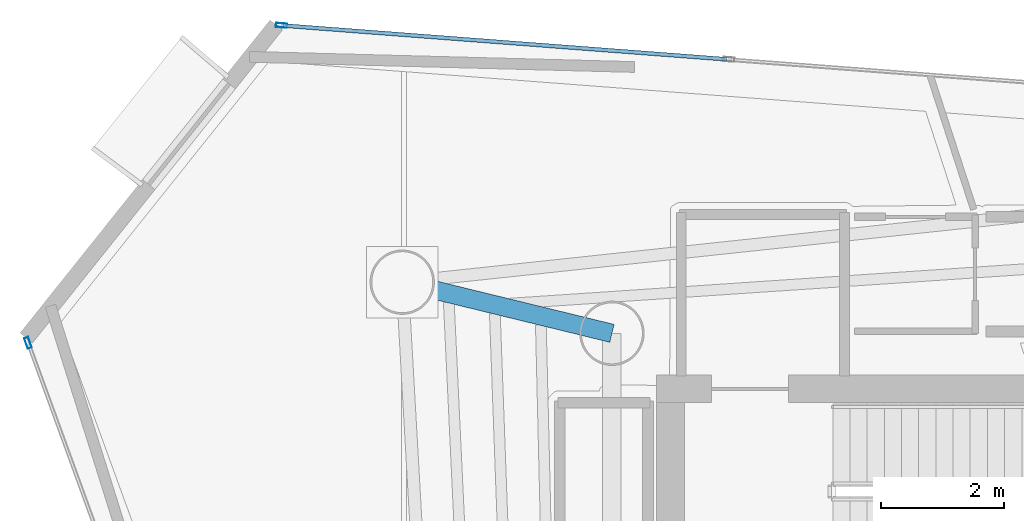
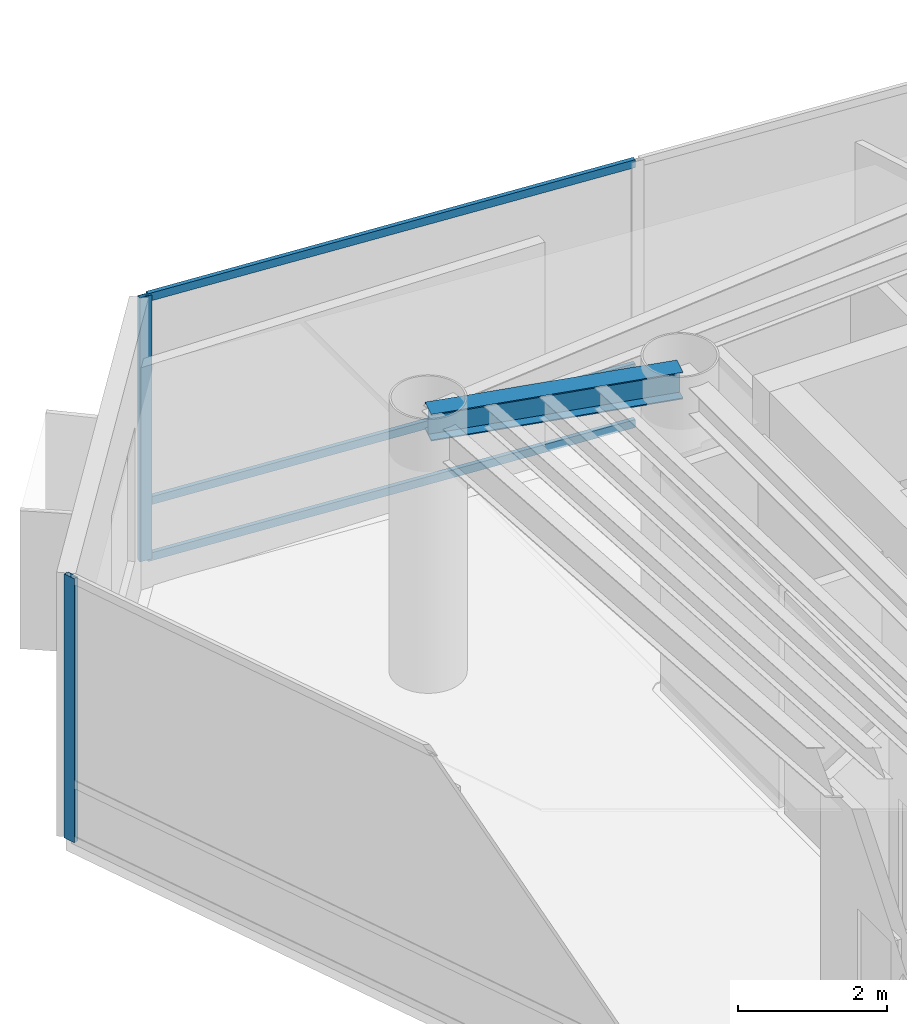
# One storey, part 10 of 21: 5 members, 1 beam, 2 elements without a shape of their own.
"""IFC4 building model written with IfcOpenShell, lengths in metres."""

from ifc_helpers import new_model, si_unit, direction, frame, origin, origin_2d, place, context, subcontext, project, spatial, hollow_rectangle, i_section, extrude, material, layer, layer_set, material_profile, profile_set, type_object, element, aggregate, save


model = new_model("IFC4")

# Units and contexts
model_context = context("Model", 3, precision=1e-05, world=origin(), true_north=direction((0.0, 1.0)))
body_context = subcontext(model_context, "Body", "Model", "MODEL_VIEW")
ifc_project = project(units=[si_unit("LENGTHUNIT", "METRE"), si_unit("AREAUNIT", "SQUARE_METRE"), si_unit("VOLUMEUNIT", "CUBIC_METRE"), si_unit("PLANEANGLEUNIT", "RADIAN"), si_unit("MASSUNIT", "GRAM", prefix="KILO")], contexts=[model_context])

# Site, building, storey
site_placement = place(None, origin())
site = spatial("IfcSite", under=ifc_project, at=site_placement, CompositionType="ELEMENT")
building_placement = place(site_placement, origin())
building = spatial("IfcBuilding", under=site, at=building_placement, Name="Qianvela Tower", CompositionType="ELEMENT")
storey_placement = place(building_placement, frame((0.0, 0.0, 234.5)))
storey = spatial("IfcBuildingStorey", under=building, at=storey_placement, Name="L60", CompositionType="ELEMENT", Elevation=234.5)

# Beam
ifc_material_1 = material(Name="Steel Q355B", Category="steel")
ifc_material_profile_1 = material_profile(ifc_material_1, i_section(OverallWidth=0.300048828125, OverallDepth=0.43994140625, WebThickness=0.010986328125, FlangeThickness=0.01806640625, at=origin_2d()), Name="HM440x300x11x18")
ifc_profile_set_1 = profile_set([ifc_material_profile_1], Name="Steel Q355B")
beam_type = type_object("IfcBeamType", Name="BM-HM440-COLL", PredefinedType="BEAM", material=ifc_profile_set_1)
beam_placement = place(storey_placement, frame((28.60009765625, 33.550048828125, 4.097900390625), z_axis=(-0.971502414323, 0.237029658405, 0.0), x_axis=(-0.237029658405, -0.971502414323, 0.0)))
element("IfcBeam", 1, at=beam_placement, inside=storey, type_object=beam_type, Name="L60 Radial Primary Floor Girder 3", PredefinedType="BEAM", context=body_context, shape_type="SweptSolid", body=[
    extrude(i_section(OverallWidth=0.300048828125, OverallDepth=0.43994140625, WebThickness=0.010986328125, FlangeThickness=0.01806640625, at=origin_2d()), origin(), (0.0, 0.0, 1.0), 3.5185546875),
])

# Curtain wall, member
ifc_material_2 = material(Name="Anodised Architectural Aluminium and Low-E Glass", Category="aluminium")
ifc_layer = layer(ifc_material_2, 0.18994140625)
ifc_layer_set = layer_set([ifc_layer], Name="Anodised Architectural Aluminium and Low-E Glass")
curtain_wall_type = type_object("IfcCurtainWallType", Name="CW-SKYLOBBY", PredefinedType="USERDEFINED", material=ifc_layer_set)
curtain_wall_1_placement = place(storey_placement, origin())
curtain_wall_1 = element("IfcCurtainWall", 2, at=curtain_wall_1_placement, inside=storey, type_object=curtain_wall_type, Name="L60 CW-SKYLOBBY Curtain Wall 02C", ObjectType="CURTAIN_WALL_SYSTEM", PredefinedType="USERDEFINED")
ifc_material_3 = material(Name="Anodised Architectural Aluminium 6063-T6", Category="aluminium")
ifc_material_profile_2 = material_profile(ifc_material_3, hollow_rectangle(XDim=0.070068359375, YDim=0.179931640625, WallThickness=0.0048828125, at=origin_2d()), Name="ALU-MULL-70x180")
ifc_profile_set_2 = profile_set([ifc_material_profile_2], Name="Anodised Architectural Aluminium 6063-T6")
member_type_1 = type_object("IfcMemberType", Name="CW-SKYLOBBY-MULL", PredefinedType="MULLION", material=ifc_profile_set_2)
member_1_placement = place(storey_placement, frame((23.212158203125, 38.56982421875, 0.0), z_axis=(0.0, 0.0, 1.0), x_axis=(-0.075900155544, -0.997115422801, 0.0)))
member_1 = element("IfcMember", 3, at=member_1_placement, type_object=member_type_1, Name="CW-7 mullion 3", PredefinedType="MULLION", context=body_context, shape_type="SweptSolid", body=[
    extrude(hollow_rectangle(XDim=0.070068359375, YDim=0.179931640625, WallThickness=0.0048828125, at=origin_2d()), origin(), (0.0, 0.0, 1.0), 4.320068359375),
])

curtain_wall_2_placement = place(storey_placement, origin())
curtain_wall_2 = element("IfcCurtainWall", 4, at=curtain_wall_2_placement, inside=storey, type_object=curtain_wall_type, Name="L60 CW-SKYLOBBY Curtain Wall 04A", ObjectType="CURTAIN_WALL_SYSTEM", PredefinedType="USERDEFINED")
member_2_placement = place(storey_placement, frame((19.08203125, 33.394775390625, 0.0), z_axis=(0.0, 0.0, 1.0), x_axis=(0.939692834197, 0.342019556983, 0.0)))
member_2 = element("IfcMember", 5, at=member_2_placement, type_object=member_type_1, Name="CW-7 mullion 1", PredefinedType="MULLION", context=body_context, shape_type="SweptSolid", body=[
    extrude(hollow_rectangle(XDim=0.070068359375, YDim=0.179931640625, WallThickness=0.0048828125, at=origin_2d()), origin(), (0.0, 0.0, 1.0), 4.320068359375),
])
aggregate(curtain_wall_2, [member_2])

# Member
ifc_material_4 = material(Name="Anodised Architectural Aluminium 6063-T6", Category="aluminium")
ifc_material_profile_3 = material_profile(ifc_material_4, hollow_rectangle(XDim=0.06494140625, YDim=0.1298828125, WallThickness=0.00439453125, at=origin_2d()), Name="ALU-TRAN-65x130")
ifc_profile_set_3 = profile_set([ifc_material_profile_3], Name="Anodised Architectural Aluminium 6063-T6")
member_type_2 = type_object("IfcMemberType", Name="CW-SKYLOBBY-TRAN", PredefinedType="USERDEFINED", material=ifc_profile_set_3)
member_3_placement = place(storey_placement, frame((30.472412109375, 38.01708984375, 0.032470703125), z_axis=(-0.997114819407, 0.075908082045, 0.0), x_axis=(-0.075908082045, -0.997114819407, 0.0)))
member_3 = element("IfcMember", 6, at=member_3_placement, type_object=member_type_2, Name="CW-7 transom 2.1", ObjectType="TRANSOM", PredefinedType="USERDEFINED", context=body_context, shape_type="SweptSolid", body=[
    extrude(hollow_rectangle(XDim=0.06494140625, YDim=0.1298828125, WallThickness=0.00439453125, at=origin_2d()), origin(), (0.0, 0.0, 1.0), 7.246337890625),
])

member_4_placement = place(storey_placement, frame((30.472412109375, 38.01708984375, 0.949951171875), z_axis=(-0.997114819407, 0.075908082045, 0.0), x_axis=(-0.075908082045, -0.997114819407, 0.0)))
member_4 = element("IfcMember", 7, at=member_4_placement, type_object=member_type_2, Name="CW-7 transom 2.2", ObjectType="TRANSOM", PredefinedType="USERDEFINED", context=body_context, shape_type="SweptSolid", body=[
    extrude(hollow_rectangle(XDim=0.06494140625, YDim=0.1298828125, WallThickness=0.00439453125, at=origin_2d()), origin(), (0.0, 0.0, 1.0), 7.246337890625),
])

member_5_placement = place(storey_placement, frame((30.472412109375, 38.01708984375, 4.28759765625), z_axis=(-0.997114819407, 0.075908082045, 0.0), x_axis=(-0.075908082045, -0.997114819407, 0.0)))
member_5 = element("IfcMember", 8, at=member_5_placement, type_object=member_type_2, Name="CW-7 transom 2.3", ObjectType="TRANSOM", PredefinedType="USERDEFINED", context=body_context, shape_type="SweptSolid", body=[
    extrude(hollow_rectangle(XDim=0.06494140625, YDim=0.1298828125, WallThickness=0.00439453125, at=origin_2d()), origin(), (0.0, 0.0, 1.0), 7.246337890625),
])

aggregate(curtain_wall_1, [member_1, member_3, member_4, member_5])

save(model, "model.ifc")
